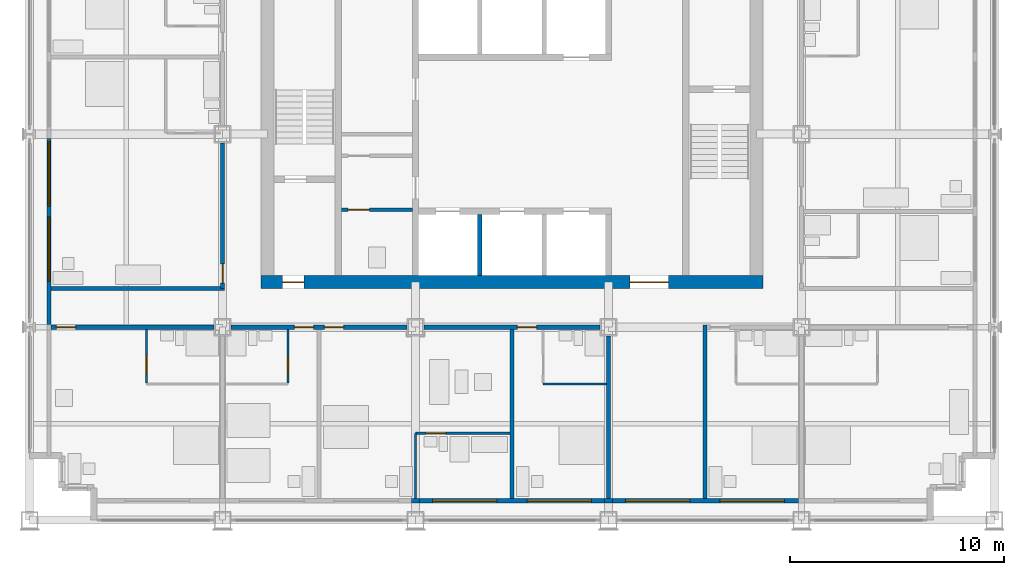
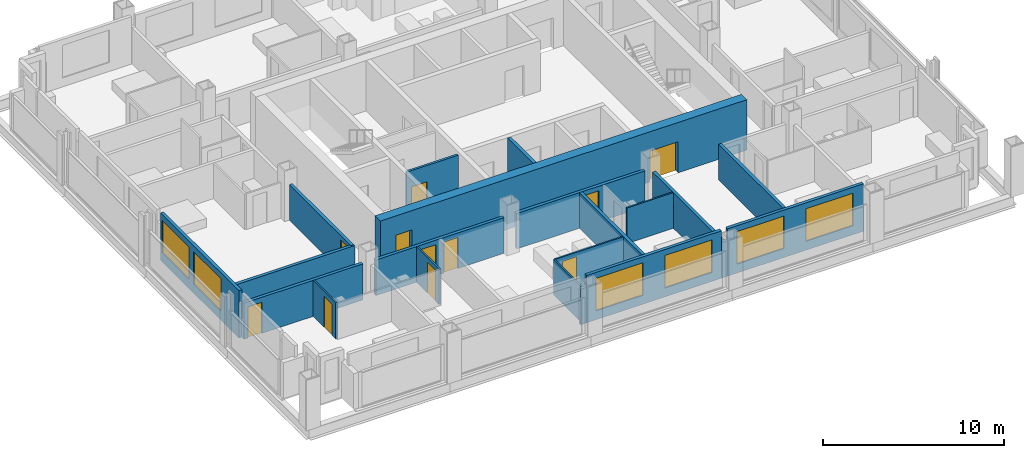
# One storey, part 9 of 16: 21 walls, 11 doors, 6 windows, 17 openings.
"""IFC4 building model written with IfcOpenShell, lengths in metres."""

from ifc_helpers import new_model, si_unit, direction, frame, frame_2d, origin, place, context, subcontext, project, spatial, rectangle, extrude, material, layer, layer_set, type_object, element, fill, save


model = new_model("IFC4")

# Units and contexts
model_context = context("Model", 3, precision=1e-05, world=origin(), true_north=direction((0.0, 1.0)))
body_context = subcontext(model_context, "Body", "Model", "MODEL_VIEW")
ifc_project = project(units=[si_unit("LENGTHUNIT", "METRE"), si_unit("AREAUNIT", "SQUARE_METRE"), si_unit("VOLUMEUNIT", "CUBIC_METRE"), si_unit("PLANEANGLEUNIT", "RADIAN"), si_unit("MASSUNIT", "GRAM", prefix="KILO")], contexts=[model_context])

# Site, building, storey
site_placement = place(None, origin())
site = spatial("IfcSite", under=ifc_project, at=site_placement, CompositionType="ELEMENT")
building_placement = place(site_placement, origin())
building = spatial("IfcBuilding", under=site, at=building_placement, Name="Loomwork Tower", CompositionType="ELEMENT")
storey_placement = place(building_placement, frame((0.0, 0.0, 124.800048828125)))
storey = spatial("IfcBuildingStorey", under=building, at=storey_placement, Name="L33", CompositionType="ELEMENT", Elevation=124.800048828125)

# Wall, openings, doors
ifc_material_1 = material(Name="Concrete 14000 psi (97 MPa)", Category="concrete")
ifc_layer_1 = layer(ifc_material_1, 0.60009765625)
ifc_layer_set_1 = layer_set([ifc_layer_1], Name="Core shear wall 600")
wall_type_1 = type_object("IfcWallType", Name="Core shear wall 600", PredefinedType="SHEAR", material=ifc_layer_set_1)
wall_1_placement = place(storey_placement, frame((10.800048828125, 11.10009765625, 0.0), z_axis=(0.0, 0.0, 1.0), x_axis=(1.0, 0.0, 0.0)))
wall_1 = element("IfcWall", 1, at=wall_1_placement, inside=storey, type_object=wall_type_1, Name="Core wall south L33", PredefinedType="SHEAR", context=body_context, shape_type="SweptSolid", body=[
    extrude(rectangle(XDim=23.39990234375, YDim=0.60009765625, at=frame_2d((11.699951171875, 0.0))), origin(), (0.0, 0.0, 1.0), 3.39990234375),
])
opening_1_placement = place(wall_1_placement, frame((1.0, 0.0, 0.0)))
opening_1 = element("IfcOpeningElement", 2, at=opening_1_placement, cuts=wall_1, Name="Opening D4", PredefinedType="OPENING", context=body_context, shape_type="SweptSolid", body=[
    extrude(rectangle(XDim=1.0, YDim=2.10009765625, at=frame_2d((0.5, 1.050048828125))), frame((0.0, 0.31005859375, 0.0), z_axis=(0.0, -1.0, 0.0), x_axis=(1.0, 0.0, 0.0)), (0.0, 0.0, 1.0), 0.6201171875),
])
opening_2_placement = place(wall_1_placement, frame((17.199951171875, 0.0, 0.0)))
opening_2 = element("IfcOpeningElement", 3, at=opening_2_placement, cuts=wall_1, Name="Opening D6", PredefinedType="OPENING", context=body_context, shape_type="SweptSolid", body=[
    extrude(rectangle(XDim=1.800048828125, YDim=2.10009765625, at=frame_2d((0.89990234375, 1.050048828125))), frame((0.0, 0.31005859375, 0.0), z_axis=(0.0, -1.0, 0.0), x_axis=(1.0, 0.0, 0.0)), (0.0, 0.0, 1.0), 0.6201171875),
])
ifc_material_2 = material(Name="Hollow metal door and frame")
door_type_1 = type_object("IfcDoorType", Name="Lobby passage double door 1800", OperationType="DOUBLE_DOOR_SINGLE_SWING", PredefinedType="DOOR", material=ifc_material_2)
door_1_placement = place(opening_2_placement, origin())
door_1 = element("IfcDoor", 4, at=door_1_placement, inside=storey, type_object=door_type_1, Name="Lobby passage door south", OperationType="DOUBLE_DOOR_SINGLE_SWING", OverallHeight=2.10009765625, OverallWidth=1.800048828125, PredefinedType="DOOR", context=body_context, shape_type="SweptSolid", body=[
    extrude(rectangle(XDim=1.800048828125, YDim=2.10009765625, at=frame_2d((0.89990234375, 1.050048828125))), frame((0.0, 0.02490234375, 0.0), z_axis=(0.0, -1.0, 0.0), x_axis=(1.0, 0.0, 0.0)), (0.0, 0.0, 1.0), 0.050048828125),
])
fill(opening_2, door_1)
ifc_material_3 = material(Name="Hollow metal door and frame")
door_type_2 = type_object("IfcDoorType", Name="Stair door 1000", OperationType="SINGLE_SWING_RIGHT", PredefinedType="DOOR", material=ifc_material_3)
door_2_placement = place(opening_1_placement, origin())
door_2 = element("IfcDoor", 5, at=door_2_placement, inside=storey, type_object=door_type_2, Name="Stair A vestibule door", OperationType="SINGLE_SWING_LEFT", OverallHeight=2.10009765625, OverallWidth=1.0, PredefinedType="DOOR", context=body_context, shape_type="SweptSolid", body=[
    extrude(rectangle(XDim=1.0, YDim=2.10009765625, at=frame_2d((0.5, 1.050048828125))), frame((0.0, 0.02490234375, 0.0), z_axis=(0.0, -1.0, 0.0), x_axis=(1.0, 0.0, 0.0)), (0.0, 0.0, 1.0), 0.050048828125),
])
fill(opening_1, door_2)

# Wall, opening, door
ifc_material_4 = material(Name="Gypsum board on steel studs, one-hour", Category="steel")
ifc_layer_2 = layer(ifc_material_4, 0.199951171875)
ifc_layer_set_2 = layer_set([ifc_layer_2], Name="Corridor wall 200")
wall_type_2 = type_object("IfcWallType", Name="Corridor wall 200", PredefinedType="PARTITIONING", material=ifc_layer_set_2)
wall_2_placement = place(storey_placement, frame((1.0, 9.0, 0.0), z_axis=(0.0, 0.0, 1.0), x_axis=(1.0, 0.0, 0.0)))
wall_2 = element("IfcWall", 6, at=wall_2_placement, inside=storey, type_object=wall_type_2, Name="South corridor wall 1", PredefinedType="PARTITIONING", context=body_context, shape_type="SweptSolid", body=[
    extrude(rectangle(XDim=7.60009765625, YDim=0.199951171875, at=frame_2d((3.800048828125, 0.0))), origin(), (0.0, 0.0, 1.0), 2.43798828125),
])
opening_3_placement = place(wall_2_placement, frame((0.25, 0.0, 0.0)))
opening_3 = element("IfcOpeningElement", 7, at=opening_3_placement, cuts=wall_2, Name="Opening D1", PredefinedType="OPENING", context=body_context, shape_type="SweptSolid", body=[
    extrude(rectangle(XDim=0.89990234375, YDim=2.10009765625, at=frame_2d((0.449951171875, 1.050048828125))), frame((0.0, 0.10986328125, 0.0), z_axis=(0.0, -1.0, 0.0), x_axis=(1.0, 0.0, 0.0)), (0.0, 0.0, 1.0), 0.219970703125),
])
ifc_material_5 = material(Name="Hollow metal door and frame")
door_type_3 = type_object("IfcDoorType", Name="Guest room entry door 900", OperationType="SINGLE_SWING_LEFT", PredefinedType="DOOR", material=ifc_material_5)
door_3_placement = place(opening_3_placement, frame((0.89990234375, 0.0, 0.0), z_axis=(0.0, 0.0, 1.0), x_axis=(-1.0, 0.0, 0.0)))
door_3 = element("IfcDoor", 8, at=door_3_placement, inside=storey, type_object=door_type_3, Name="Guest room entry door L33 1", OperationType="SINGLE_SWING_RIGHT", OverallHeight=2.10009765625, OverallWidth=0.89990234375, PredefinedType="DOOR", context=body_context, shape_type="SweptSolid", body=[
    extrude(rectangle(XDim=0.89990234375, YDim=2.10009765625, at=frame_2d((0.449951171875, 1.050048828125))), frame((0.0, 0.02490234375, 0.0), z_axis=(0.0, -1.0, 0.0), x_axis=(1.0, 0.0, 0.0)), (0.0, 0.0, 1.0), 0.050048828125),
])
fill(opening_3, door_3)

# Wall, openings, doors
wall_3_placement = place(storey_placement, frame((9.39990234375, 9.0, 0.0), z_axis=(0.0, 0.0, 1.0), x_axis=(1.0, 0.0, 0.0)))
wall_3 = element("IfcWall", 9, at=wall_3_placement, inside=storey, type_object=wall_type_2, Name="South corridor wall 2", PredefinedType="PARTITIONING", context=body_context, shape_type="SweptSolid", body=[
    extrude(rectangle(XDim=8.2001953125, YDim=0.199951171875, at=frame_2d((4.10009765625, 0.0))), origin(), (0.0, 0.0, 1.0), 2.405029296875),
])
opening_4_placement = place(wall_3_placement, frame((2.949951171875, 0.0, 0.0)))
opening_4 = element("IfcOpeningElement", 10, at=opening_4_placement, cuts=wall_3, Name="Opening D1", PredefinedType="OPENING", context=body_context, shape_type="SweptSolid", body=[
    extrude(rectangle(XDim=0.89990234375, YDim=2.10009765625, at=frame_2d((0.449951171875, 1.050048828125))), frame((0.0, 0.10986328125, 0.0), z_axis=(0.0, -1.0, 0.0), x_axis=(1.0, 0.0, 0.0)), (0.0, 0.0, 1.0), 0.219970703125),
])
opening_5_placement = place(wall_3_placement, frame((4.35009765625, 0.0, 0.0)))
opening_5 = element("IfcOpeningElement", 11, at=opening_5_placement, cuts=wall_3, Name="Opening D1", PredefinedType="OPENING", context=body_context, shape_type="SweptSolid", body=[
    extrude(rectangle(XDim=0.89990234375, YDim=2.10009765625, at=frame_2d((0.449951171875, 1.050048828125))), frame((0.0, 0.10986328125, 0.0), z_axis=(0.0, -1.0, 0.0), x_axis=(1.0, 0.0, 0.0)), (0.0, 0.0, 1.0), 0.219970703125),
])
door_4_placement = place(opening_4_placement, frame((0.89990234375, 0.0, 0.0), z_axis=(0.0, 0.0, 1.0), x_axis=(-1.0, 0.0, 0.0)))
door_4 = element("IfcDoor", 12, at=door_4_placement, inside=storey, type_object=door_type_3, Name="Guest room entry door L33 2", OperationType="SINGLE_SWING_LEFT", OverallHeight=2.10009765625, OverallWidth=0.89990234375, PredefinedType="DOOR", context=body_context, shape_type="SweptSolid", body=[
    extrude(rectangle(XDim=0.89990234375, YDim=2.10009765625, at=frame_2d((0.449951171875, 1.050048828125))), frame((0.0, 0.02490234375, 0.0), z_axis=(0.0, -1.0, 0.0), x_axis=(1.0, 0.0, 0.0)), (0.0, 0.0, 1.0), 0.050048828125),
])
fill(opening_4, door_4)
door_5_placement = place(opening_5_placement, frame((0.89990234375, 0.0, 0.0), z_axis=(0.0, 0.0, 1.0), x_axis=(-1.0, 0.0, 0.0)))
door_5 = element("IfcDoor", 13, at=door_5_placement, inside=storey, type_object=door_type_3, Name="Guest room entry door L33 3", OperationType="SINGLE_SWING_RIGHT", OverallHeight=2.10009765625, OverallWidth=0.89990234375, PredefinedType="DOOR", context=body_context, shape_type="SweptSolid", body=[
    extrude(rectangle(XDim=0.89990234375, YDim=2.10009765625, at=frame_2d((0.449951171875, 1.050048828125))), frame((0.0, 0.02490234375, 0.0), z_axis=(0.0, -1.0, 0.0), x_axis=(1.0, 0.0, 0.0)), (0.0, 0.0, 1.0), 0.050048828125),
])
fill(opening_5, door_5)

# Wall, opening, door
wall_4_placement = place(storey_placement, frame((18.39990234375, 9.0, 0.0), z_axis=(0.0, 0.0, 1.0), x_axis=(1.0, 0.0, 0.0)))
wall_4 = element("IfcWall", 14, at=wall_4_placement, inside=storey, type_object=wall_type_2, Name="South corridor wall 3", PredefinedType="PARTITIONING", context=body_context, shape_type="SweptSolid", body=[
    extrude(rectangle(XDim=8.2001953125, YDim=0.199951171875, at=frame_2d((4.10009765625, 0.0))), origin(), (0.0, 0.0, 1.0), 2.405029296875),
])
opening_6_placement = place(wall_4_placement, frame((4.35009765625, 0.0, 0.0)))
opening_6 = element("IfcOpeningElement", 15, at=opening_6_placement, cuts=wall_4, Name="Opening D1", PredefinedType="OPENING", context=body_context, shape_type="SweptSolid", body=[
    extrude(rectangle(XDim=0.89990234375, YDim=2.10009765625, at=frame_2d((0.449951171875, 1.050048828125))), frame((0.0, 0.10986328125, 0.0), z_axis=(0.0, -1.0, 0.0), x_axis=(1.0, 0.0, 0.0)), (0.0, 0.0, 1.0), 0.219970703125),
])
door_6_placement = place(opening_6_placement, frame((0.89990234375, 0.0, 0.0), z_axis=(0.0, 0.0, 1.0), x_axis=(-1.0, 0.0, 0.0)))
door_6 = element("IfcDoor", 16, at=door_6_placement, inside=storey, type_object=door_type_3, Name="Guest room entry door L33 4", OperationType="SINGLE_SWING_RIGHT", OverallHeight=2.10009765625, OverallWidth=0.89990234375, PredefinedType="DOOR", context=body_context, shape_type="SweptSolid", body=[
    extrude(rectangle(XDim=0.89990234375, YDim=2.10009765625, at=frame_2d((0.449951171875, 1.050048828125))), frame((0.0, 0.02490234375, 0.0), z_axis=(0.0, -1.0, 0.0), x_axis=(1.0, 0.0, 0.0)), (0.0, 0.0, 1.0), 0.050048828125),
])
fill(opening_6, door_6)

wall_5_placement = place(storey_placement, frame((9.0, 10.800048828125, 0.0), z_axis=(0.0, 0.0, 1.0), x_axis=(0.0, 1.0, 0.0)))
wall_5 = element("IfcWall", 17, at=wall_5_placement, inside=storey, type_object=wall_type_2, Name="West corridor wall 1", PredefinedType="PARTITIONING", context=body_context, shape_type="SweptSolid", body=[
    extrude(rectangle(XDim=6.800048828125, YDim=0.199951171875, at=frame_2d((3.39990234375, 0.0))), origin(), (0.0, 0.0, 1.0), 2.405029296875),
])
opening_7_placement = place(wall_5_placement, frame((0.25, 0.0, 0.0)))
opening_7 = element("IfcOpeningElement", 18, at=opening_7_placement, cuts=wall_5, Name="Opening D1", PredefinedType="OPENING", context=body_context, shape_type="SweptSolid", body=[
    extrude(rectangle(XDim=0.89990234375, YDim=2.10009765625, at=frame_2d((0.449951171875, 1.050048828125))), frame((0.0, 0.10986328125, 0.0), z_axis=(0.0, -1.0, 0.0), x_axis=(1.0, 0.0, 0.0)), (0.0, 0.0, 1.0), 0.219970703125),
])
door_7_placement = place(opening_7_placement, origin())
door_7 = element("IfcDoor", 19, at=door_7_placement, inside=storey, type_object=door_type_3, Name="Guest room entry door L33 12", OperationType="SINGLE_SWING_LEFT", OverallHeight=2.10009765625, OverallWidth=0.89990234375, PredefinedType="DOOR", context=body_context, shape_type="SweptSolid", body=[
    extrude(rectangle(XDim=0.89990234375, YDim=2.10009765625, at=frame_2d((0.449951171875, 1.050048828125))), frame((0.0, 0.02490234375, 0.0), z_axis=(0.0, -1.0, 0.0), x_axis=(1.0, 0.0, 0.0)), (0.0, 0.0, 1.0), 0.050048828125),
])
fill(opening_7, door_7)

# Wall
wall_6_placement = place(storey_placement, frame((1.0, 10.800048828125, 0.0), z_axis=(0.0, 0.0, 1.0), x_axis=(1.0, 0.0, 0.0)))
element("IfcWall", 20, at=wall_6_placement, inside=storey, type_object=wall_type_2, Name="West band end wall S", PredefinedType="PARTITIONING", context=body_context, shape_type="SweptSolid", body=[
    extrude(rectangle(XDim=8.10009765625, YDim=0.199951171875, at=frame_2d((4.050048828125, 0.0))), origin(), (0.0, 0.0, 1.0), 2.404052734375),
])

# Wall, opening, door
ifc_material_6 = material(Name="Cement board on steel studs", Category="steel")
ifc_layer_3 = layer(ifc_material_6, 0.10009765625)
ifc_layer_set_3 = layer_set([ifc_layer_3], Name="En-suite partition 100")
wall_type_3 = type_object("IfcWallType", Name="En-suite partition 100", PredefinedType="PARTITIONING", material=ifc_layer_set_3)
wall_7_placement = place(storey_placement, frame((5.449951171875, 8.89990234375, 0.0), z_axis=(0.0, 0.0, 1.0), x_axis=(0.0, -1.0, 0.0)))
wall_7 = element("IfcWall", 21, at=wall_7_placement, inside=storey, type_object=wall_type_3, Name="En-suite side wall L33 room 1", PredefinedType="PARTITIONING", context=body_context, shape_type="SweptSolid", body=[
    extrude(rectangle(XDim=2.5, YDim=0.10009765625, at=frame_2d((1.25, 0.0))), origin(), (0.0, 0.0, 1.0), 2.43798828125),
])
opening_8_placement = place(wall_7_placement, frame((1.199951171875, 0.0, 0.0)))
opening_8 = element("IfcOpeningElement", 22, at=opening_8_placement, cuts=wall_7, Name="Opening D3", PredefinedType="OPENING", context=body_context, shape_type="SweptSolid", body=[
    extrude(rectangle(XDim=0.89990234375, YDim=2.10009765625, at=frame_2d((0.449951171875, 1.050048828125))), frame((0.0, 0.06005859375, 0.0), z_axis=(0.0, -1.0, 0.0), x_axis=(1.0, 0.0, 0.0)), (0.0, 0.0, 1.0), 0.1201171875),
])
ifc_material_7 = material(Name="Hollow metal door and frame")
door_type_4 = type_object("IfcDoorType", Name="Accessible en-suite door 900", OperationType="SLIDING_TO_LEFT", PredefinedType="DOOR", material=ifc_material_7)
door_8_placement = place(opening_8_placement, origin())
door_8 = element("IfcDoor", 23, at=door_8_placement, inside=storey, type_object=door_type_4, Name="Accessible en-suite door room 1", OperationType="SLIDING_TO_LEFT", OverallHeight=2.10009765625, OverallWidth=0.89990234375, PredefinedType="DOOR", context=body_context, shape_type="SweptSolid", body=[
    extrude(rectangle(XDim=0.89990234375, YDim=2.10009765625, at=frame_2d((0.449951171875, 1.050048828125))), frame((0.0, 0.02490234375, 0.0), z_axis=(0.0, -1.0, 0.0), x_axis=(1.0, 0.0, 0.0)), (0.0, 0.0, 1.0), 0.050048828125),
])
fill(opening_8, door_8)

wall_8_placement = place(storey_placement, frame((12.050048828125, 8.89990234375, 0.0), z_axis=(0.0, 0.0, 1.0), x_axis=(0.0, -1.0, 0.0)))
wall_8 = element("IfcWall", 24, at=wall_8_placement, inside=storey, type_object=wall_type_3, Name="En-suite side wall L33 room 2", PredefinedType="PARTITIONING", context=body_context, shape_type="SweptSolid", body=[
    extrude(rectangle(XDim=2.5, YDim=0.10009765625, at=frame_2d((1.25, 0.0))), origin(), (0.0, 0.0, 1.0), 2.404052734375),
])
opening_9_placement = place(wall_8_placement, frame((1.199951171875, 0.0, 0.0)))
opening_9 = element("IfcOpeningElement", 25, at=opening_9_placement, cuts=wall_8, Name="Opening D2", PredefinedType="OPENING", context=body_context, shape_type="SweptSolid", body=[
    extrude(rectangle(XDim=0.89990234375, YDim=2.10009765625, at=frame_2d((0.449951171875, 1.050048828125))), frame((0.0, 0.06005859375, 0.0), z_axis=(0.0, -1.0, 0.0), x_axis=(1.0, 0.0, 0.0)), (0.0, 0.0, 1.0), 0.1201171875),
])
ifc_material_8 = material(Name="Hollow metal door and frame")
door_type_5 = type_object("IfcDoorType", Name="En-suite door 900", OperationType="SINGLE_SWING_LEFT", PredefinedType="DOOR", material=ifc_material_8)
door_9_placement = place(opening_9_placement, frame((0.89990234375, 0.0, 0.0), z_axis=(0.0, 0.0, 1.0), x_axis=(-1.0, 0.0, 0.0)))
door_9 = element("IfcDoor", 26, at=door_9_placement, inside=storey, type_object=door_type_5, Name="En-suite door room 2", OperationType="SINGLE_SWING_LEFT", OverallHeight=2.10009765625, OverallWidth=0.89990234375, PredefinedType="DOOR", context=body_context, shape_type="SweptSolid", body=[
    extrude(rectangle(XDim=0.89990234375, YDim=2.10009765625, at=frame_2d((0.449951171875, 1.050048828125))), frame((0.0, 0.02490234375, 0.0), z_axis=(0.0, -1.0, 0.0), x_axis=(1.0, 0.0, 0.0)), (0.0, 0.0, 1.0), 0.050048828125),
])
fill(opening_9, door_9)

wall_9_placement = place(storey_placement, frame((18.0, 4.050048828125, 0.0), z_axis=(0.0, 0.0, 1.0), x_axis=(1.0, 0.0, 0.0)))
wall_9 = element("IfcWall", 27, at=wall_9_placement, inside=storey, type_object=wall_type_3, Name="Spa bathroom wall L33 room 3", PredefinedType="PARTITIONING", context=body_context, shape_type="SweptSolid", body=[
    extrude(rectangle(XDim=4.39990234375, YDim=0.10009765625, at=frame_2d((2.199951171875, 0.0))), origin(), (0.0, 0.0, 1.0), 2.404052734375),
])
opening_10_placement = place(wall_9_placement, frame((0.5, 0.0, 0.0)))
opening_10 = element("IfcOpeningElement", 28, at=opening_10_placement, cuts=wall_9, Name="Opening D2", PredefinedType="OPENING", context=body_context, shape_type="SweptSolid", body=[
    extrude(rectangle(XDim=0.89990234375, YDim=2.10009765625, at=frame_2d((0.449951171875, 1.050048828125))), frame((0.0, 0.06005859375, 0.0), z_axis=(0.0, -1.0, 0.0), x_axis=(1.0, 0.0, 0.0)), (0.0, 0.0, 1.0), 0.1201171875),
])
door_10_placement = place(opening_10_placement, frame((0.89990234375, 0.0, 0.0), z_axis=(0.0, 0.0, 1.0), x_axis=(-1.0, 0.0, 0.0)))
door_10 = element("IfcDoor", 29, at=door_10_placement, inside=storey, type_object=door_type_5, Name="Spa bathroom door room 3", OperationType="SINGLE_SWING_RIGHT", OverallHeight=2.10009765625, OverallWidth=0.89990234375, PredefinedType="DOOR", context=body_context, shape_type="SweptSolid", body=[
    extrude(rectangle(XDim=0.89990234375, YDim=2.10009765625, at=frame_2d((0.449951171875, 1.050048828125))), frame((0.0, 0.02490234375, 0.0), z_axis=(0.0, -1.0, 0.0), x_axis=(1.0, 0.0, 0.0)), (0.0, 0.0, 1.0), 0.050048828125),
])
fill(opening_10, door_10)

# Walls
wall_10_placement = place(storey_placement, frame((18.0, 4.050048828125, 0.0), z_axis=(0.0, 0.0, 1.0), x_axis=(0.0, -1.0, 0.0)))
element("IfcWall", 30, at=wall_10_placement, inside=storey, type_object=wall_type_3, Name="Spa bathroom side wall L33 room 3", PredefinedType="PARTITIONING", context=body_context, shape_type="SweptSolid", body=[
    extrude(rectangle(XDim=3.050048828125, YDim=0.10009765625, at=frame_2d((1.52490234375, 0.0))), origin(), (0.0, 0.0, 1.0), 2.405029296875),
])
wall_11_placement = place(storey_placement, frame((23.949951171875, 6.35009765625, 0.0), z_axis=(0.0, 0.0, 1.0), x_axis=(1.0, 0.0, 0.0)))
element("IfcWall", 31, at=wall_11_placement, inside=storey, type_object=wall_type_3, Name="En-suite wall L33 room 4", PredefinedType="PARTITIONING", context=body_context, shape_type="SweptSolid", body=[
    extrude(rectangle(XDim=2.949951171875, YDim=0.10009765625, at=frame_2d((1.47509765625, 0.0))), origin(), (0.0, 0.0, 1.0), 2.404052734375),
])
ifc_material_9 = material(Name="Gypsum board on steel studs, acoustic", Category="steel")
ifc_layer_4 = layer(ifc_material_9, 0.199951171875)
ifc_layer_set_4 = layer_set([ifc_layer_4], Name="Guest room party wall 200")
wall_type_4 = type_object("IfcWallType", Name="Guest room party wall 200", PredefinedType="PARTITIONING", material=ifc_layer_set_4)
wall_12_placement = place(storey_placement, frame((22.5, 8.89990234375, 0.0), z_axis=(0.0, 0.0, 1.0), x_axis=(0.0, -1.0, 0.0)))
element("IfcWall", 32, at=wall_12_placement, inside=storey, type_object=wall_type_4, Name="Guest room party wall S 22.5", PredefinedType="PARTITIONING", context=body_context, shape_type="SweptSolid", body=[
    extrude(rectangle(XDim=7.89990234375, YDim=0.199951171875, at=frame_2d((3.949951171875, 0.0))), origin(), (0.0, 0.0, 1.0), 2.404052734375),
])
wall_13_placement = place(storey_placement, frame((27.0, 8.60009765625, 0.0), z_axis=(0.0, 0.0, 1.0), x_axis=(0.0, -1.0, 0.0)))
element("IfcWall", 33, at=wall_13_placement, inside=storey, type_object=wall_type_4, Name="Guest room party wall S 27", PredefinedType="PARTITIONING", context=body_context, shape_type="SweptSolid", body=[
    extrude(rectangle(XDim=7.60009765625, YDim=0.199951171875, at=frame_2d((3.800048828125, 0.0))), origin(), (0.0, 0.0, 1.0), 2.405029296875),
])
wall_14_placement = place(storey_placement, frame((31.5, 9.10009765625, 0.0), z_axis=(0.0, 0.0, 1.0), x_axis=(0.0, -1.0, 0.0)))
element("IfcWall", 34, at=wall_14_placement, inside=storey, type_object=wall_type_4, Name="Guest room party wall S 31.5", PredefinedType="PARTITIONING", context=body_context, shape_type="SweptSolid", body=[
    extrude(rectangle(XDim=8.10009765625, YDim=0.199951171875, at=frame_2d((4.050048828125, 0.0))), origin(), (0.0, 0.0, 1.0), 2.404052734375),
])
ifc_material_10 = material(Name="Insulated steel stud wall with gypsum lining", Category="steel")
ifc_layer_5 = layer(ifc_material_10, 0.199951171875)
ifc_layer_set_5 = layer_set([ifc_layer_5], Name="Inner skin wall 200")
wall_type_5 = type_object("IfcWallType", Name="Inner skin wall 200", PredefinedType="SOLIDWALL", material=ifc_layer_set_5)
wall_15_placement = place(storey_placement, frame((17.80615234375, 0.89990234375, 0.0), z_axis=(0.0, 0.0, 1.0), x_axis=(1.0, 0.0, 0.0)))
element("IfcWall", 35, at=wall_15_placement, inside=storey, type_object=wall_type_5, Name="Inner skin wall S bay 4", PredefinedType="SOLIDWALL", context=body_context, shape_type="SweptSolid", body=[
    extrude(rectangle(XDim=0.3876953125, YDim=0.199951171875, at=frame_2d((0.19384765625, 0.0))), origin(), (0.0, 0.0, 1.0), 2.404052734375),
])

# Wall, openings, windows
wall_16_placement = place(storey_placement, frame((18.19384765625, 0.89990234375, 0.0), z_axis=(0.0, 0.0, 1.0), x_axis=(1.0, 0.0, 0.0)))
wall_16 = element("IfcWall", 36, at=wall_16_placement, inside=storey, type_object=wall_type_5, Name="Inner skin wall S bay 5", PredefinedType="SOLIDWALL", context=body_context, shape_type="SweptSolid", body=[
    extrude(rectangle(XDim=8.6123046875, YDim=0.199951171875, at=frame_2d((4.30615234375, 0.0))), origin(), (0.0, 0.0, 1.0), 3.199951171875),
])
opening_11_placement = place(wall_16_placement, frame((0.606201171875, 0.0, 0.60009765625)))
opening_11 = element("IfcOpeningElement", 37, at=opening_11_placement, cuts=wall_16, Name="Opening CH1", PredefinedType="OPENING", context=body_context, shape_type="SweptSolid", body=[
    extrude(rectangle(XDim=3.0, YDim=2.199951171875, at=frame_2d((1.5, 1.10009765625))), frame((0.0, 0.10986328125, 0.0), z_axis=(0.0, -1.0, 0.0), x_axis=(1.0, 0.0, 0.0)), (0.0, 0.0, 1.0), 0.219970703125),
])
opening_12_placement = place(wall_16_placement, frame((5.006103515625, 0.0, 0.60009765625)))
opening_12 = element("IfcOpeningElement", 38, at=opening_12_placement, cuts=wall_16, Name="Opening CH1", PredefinedType="OPENING", context=body_context, shape_type="SweptSolid", body=[
    extrude(rectangle(XDim=3.0, YDim=2.199951171875, at=frame_2d((1.5, 1.10009765625))), frame((0.0, 0.10986328125, 0.0), z_axis=(0.0, -1.0, 0.0), x_axis=(1.0, 0.0, 0.0)), (0.0, 0.0, 1.0), 0.219970703125),
])
ifc_material_11 = material(Name="Aluminium frame with clear insulated glass", Category="aluminium")
window_type = type_object("IfcWindowType", Name="Chicago window 3000", PartitioningType="TRIPLE_PANEL_VERTICAL", PredefinedType="WINDOW", material=ifc_material_11)
window_1_placement = place(opening_11_placement, origin())
window_1 = element("IfcWindow", 39, at=window_1_placement, inside=storey, type_object=window_type, Name="Chicago window L33 bay 3", OverallHeight=2.199951171875, OverallWidth=3.0, PartitioningType="TRIPLE_PANEL_VERTICAL", PredefinedType="WINDOW", context=body_context, shape_type="SweptSolid", body=[
    extrude(rectangle(XDim=3.0, YDim=2.199951171875, at=frame_2d((1.5, 1.10009765625))), frame((0.0, 0.030029296875, 0.0), z_axis=(0.0, -1.0, 0.0), x_axis=(1.0, 0.0, 0.0)), (0.0, 0.0, 1.0), 0.06005859375),
])
fill(opening_11, window_1)
window_2_placement = place(opening_12_placement, origin())
window_2 = element("IfcWindow", 40, at=window_2_placement, inside=storey, type_object=window_type, Name="Chicago window L33 bay 3", OverallHeight=2.199951171875, OverallWidth=3.0, PartitioningType="TRIPLE_PANEL_VERTICAL", PredefinedType="WINDOW", context=body_context, shape_type="SweptSolid", body=[
    extrude(rectangle(XDim=3.0, YDim=2.199951171875, at=frame_2d((1.5, 1.10009765625))), frame((0.0, 0.030029296875, 0.0), z_axis=(0.0, -1.0, 0.0), x_axis=(1.0, 0.0, 0.0)), (0.0, 0.0, 1.0), 0.06005859375),
])
fill(opening_12, window_2)

# Wall
wall_17_placement = place(storey_placement, frame((26.80615234375, 0.89990234375, 0.0), z_axis=(0.0, 0.0, 1.0), x_axis=(1.0, 0.0, 0.0)))
element("IfcWall", 41, at=wall_17_placement, inside=storey, type_object=wall_type_5, Name="Inner skin wall S bay 6", PredefinedType="SOLIDWALL", context=body_context, shape_type="SweptSolid", body=[
    extrude(rectangle(XDim=0.3876953125, YDim=0.199951171875, at=frame_2d((0.19384765625, 0.0))), origin(), (0.0, 0.0, 1.0), 2.404052734375),
])

# Wall, openings, windows
wall_18_placement = place(storey_placement, frame((27.19384765625, 0.89990234375, 0.0), z_axis=(0.0, 0.0, 1.0), x_axis=(1.0, 0.0, 0.0)))
wall_18 = element("IfcWall", 42, at=wall_18_placement, inside=storey, type_object=wall_type_5, Name="Inner skin wall S bay 7", PredefinedType="SOLIDWALL", context=body_context, shape_type="SweptSolid", body=[
    extrude(rectangle(XDim=8.670654296875, YDim=0.199951171875, at=frame_2d((4.33544921875, 0.0))), origin(), (0.0, 0.0, 1.0), 3.199951171875),
])
opening_13_placement = place(wall_18_placement, frame((0.606201171875, 0.0, 0.60009765625)))
opening_13 = element("IfcOpeningElement", 43, at=opening_13_placement, cuts=wall_18, Name="Opening CH1", PredefinedType="OPENING", context=body_context, shape_type="SweptSolid", body=[
    extrude(rectangle(XDim=3.0, YDim=2.199951171875, at=frame_2d((1.5, 1.10009765625))), frame((0.0, 0.10986328125, 0.0), z_axis=(0.0, -1.0, 0.0), x_axis=(1.0, 0.0, 0.0)), (0.0, 0.0, 1.0), 0.219970703125),
])
opening_14_placement = place(wall_18_placement, frame((5.006103515625, 0.0, 0.60009765625)))
opening_14 = element("IfcOpeningElement", 44, at=opening_14_placement, cuts=wall_18, Name="Opening CH1", PredefinedType="OPENING", context=body_context, shape_type="SweptSolid", body=[
    extrude(rectangle(XDim=3.0, YDim=2.199951171875, at=frame_2d((1.5, 1.10009765625))), frame((0.0, 0.10986328125, 0.0), z_axis=(0.0, -1.0, 0.0), x_axis=(1.0, 0.0, 0.0)), (0.0, 0.0, 1.0), 0.219970703125),
])
window_3_placement = place(opening_13_placement, origin())
window_3 = element("IfcWindow", 45, at=window_3_placement, inside=storey, type_object=window_type, Name="Chicago window L33 bay 4", OverallHeight=2.199951171875, OverallWidth=3.0, PartitioningType="TRIPLE_PANEL_VERTICAL", PredefinedType="WINDOW", context=body_context, shape_type="SweptSolid", body=[
    extrude(rectangle(XDim=3.0, YDim=2.199951171875, at=frame_2d((1.5, 1.10009765625))), frame((0.0, 0.030029296875, 0.0), z_axis=(0.0, -1.0, 0.0), x_axis=(1.0, 0.0, 0.0)), (0.0, 0.0, 1.0), 0.06005859375),
])
fill(opening_13, window_3)
window_4_placement = place(opening_14_placement, origin())
window_4 = element("IfcWindow", 46, at=window_4_placement, inside=storey, type_object=window_type, Name="Chicago window L33 bay 4", OverallHeight=2.199951171875, OverallWidth=3.0, PartitioningType="TRIPLE_PANEL_VERTICAL", PredefinedType="WINDOW", context=body_context, shape_type="SweptSolid", body=[
    extrude(rectangle(XDim=3.0, YDim=2.199951171875, at=frame_2d((1.5, 1.10009765625))), frame((0.0, 0.030029296875, 0.0), z_axis=(0.0, -1.0, 0.0), x_axis=(1.0, 0.0, 0.0)), (0.0, 0.0, 1.0), 0.06005859375),
])
fill(opening_14, window_4)

wall_19_placement = place(storey_placement, frame((0.89990234375, 9.13525390625, 0.0), z_axis=(0.0, 0.0, 1.0), x_axis=(0.0, 1.0, 0.0)))
wall_19 = element("IfcWall", 47, at=wall_19_placement, inside=storey, type_object=wall_type_5, Name="Inner skin wall W bay 5", PredefinedType="SOLIDWALL", context=body_context, shape_type="SweptSolid", body=[
    extrude(rectangle(XDim=8.6708984375, YDim=0.199951171875, at=frame_2d((4.33544921875, 0.0))), origin(), (0.0, 0.0, 1.0), 3.199951171875),
])
opening_15_placement = place(wall_19_placement, frame((2.0146484375, 0.0, 0.60009765625)))
opening_15 = element("IfcOpeningElement", 48, at=opening_15_placement, cuts=wall_19, Name="Opening CH1", PredefinedType="OPENING", context=body_context, shape_type="SweptSolid", body=[
    extrude(rectangle(XDim=3.0, YDim=2.199951171875, at=frame_2d((1.5, 1.10009765625))), frame((0.0, 0.10986328125, 0.0), z_axis=(0.0, -1.0, 0.0), x_axis=(1.0, 0.0, 0.0)), (0.0, 0.0, 1.0), 0.219970703125),
])
opening_16_placement = place(wall_19_placement, frame((5.5146484375, 0.0, 0.60009765625)))
opening_16 = element("IfcOpeningElement", 49, at=opening_16_placement, cuts=wall_19, Name="Opening CH1", PredefinedType="OPENING", context=body_context, shape_type="SweptSolid", body=[
    extrude(rectangle(XDim=3.0, YDim=2.199951171875, at=frame_2d((1.5, 1.10009765625))), frame((0.0, 0.10986328125, 0.0), z_axis=(0.0, -1.0, 0.0), x_axis=(1.0, 0.0, 0.0)), (0.0, 0.0, 1.0), 0.219970703125),
])
window_5_placement = place(opening_15_placement, origin())
window_5 = element("IfcWindow", 50, at=window_5_placement, inside=storey, type_object=window_type, Name="Chicago window L33 bay 11", OverallHeight=2.199951171875, OverallWidth=3.0, PartitioningType="TRIPLE_PANEL_VERTICAL", PredefinedType="WINDOW", context=body_context, shape_type="SweptSolid", body=[
    extrude(rectangle(XDim=3.0, YDim=2.199951171875, at=frame_2d((1.5, 1.10009765625))), frame((0.0, 0.030029296875, 0.0), z_axis=(0.0, -1.0, 0.0), x_axis=(1.0, 0.0, 0.0)), (0.0, 0.0, 1.0), 0.06005859375),
])
fill(opening_15, window_5)
window_6_placement = place(opening_16_placement, origin())
window_6 = element("IfcWindow", 51, at=window_6_placement, inside=storey, type_object=window_type, Name="Chicago window L33 bay 11", OverallHeight=2.199951171875, OverallWidth=3.0, PartitioningType="TRIPLE_PANEL_VERTICAL", PredefinedType="WINDOW", context=body_context, shape_type="SweptSolid", body=[
    extrude(rectangle(XDim=3.0, YDim=2.199951171875, at=frame_2d((1.5, 1.10009765625))), frame((0.0, 0.030029296875, 0.0), z_axis=(0.0, -1.0, 0.0), x_axis=(1.0, 0.0, 0.0)), (0.0, 0.0, 1.0), 0.06005859375),
])
fill(opening_16, window_6)

# Wall
ifc_material_12 = material(Name="Concrete 14000 psi (97 MPa)", Category="concrete")
ifc_layer_6 = layer(ifc_material_12, 0.199951171875)
ifc_layer_set_6 = layer_set([ifc_layer_6], Name="Lift shaft wall 200")
wall_type_6 = type_object("IfcWallType", Name="Lift shaft wall 200", PredefinedType="SHEAR", material=ifc_layer_set_6)
wall_20_placement = place(storey_placement, frame((21.0, 11.39990234375, 0.0), z_axis=(0.0, 0.0, 1.0), x_axis=(0.0, 1.0, 0.0)))
element("IfcWall", 52, at=wall_20_placement, inside=storey, type_object=wall_type_6, Name="Lift shaft separation wall south 1 L33", PredefinedType="SHEAR", context=body_context, shape_type="SweptSolid", body=[
    extrude(rectangle(XDim=2.85009765625, YDim=0.199951171875, at=frame_2d((1.425048828125, 0.0))), origin(), (0.0, 0.0, 1.0), 3.39990234375),
])

# Wall, opening, door
ifc_material_13 = material(Name="Gypsum board on steel studs, one-hour", Category="steel")
ifc_layer_7 = layer(ifc_material_13, 0.14990234375)
ifc_layer_set_7 = layer_set([ifc_layer_7], Name="Service partition 150")
wall_type_7 = type_object("IfcWallType", Name="Service partition 150", PredefinedType="PARTITIONING", material=ifc_layer_set_7)
wall_21_placement = place(storey_placement, frame((14.550048828125, 14.47509765625, 0.0), z_axis=(0.0, 0.0, 1.0), x_axis=(1.0, 0.0, 0.0)))
wall_21 = element("IfcWall", 53, at=wall_21_placement, inside=storey, type_object=wall_type_7, Name="Back-of-house partition L33", PredefinedType="PARTITIONING", context=body_context, shape_type="SweptSolid", body=[
    extrude(rectangle(XDim=3.300048828125, YDim=0.14990234375, at=frame_2d((1.64990234375, 0.0))), origin(), (0.0, 0.0, 1.0), 3.199951171875),
])
opening_17_placement = place(wall_21_placement, frame((0.300048828125, 0.0, 0.0)))
opening_17 = element("IfcOpeningElement", 54, at=opening_17_placement, cuts=wall_21, Name="Opening D5", PredefinedType="OPENING", context=body_context, shape_type="SweptSolid", body=[
    extrude(rectangle(XDim=1.0, YDim=2.10009765625, at=frame_2d((0.5, 1.050048828125))), frame((0.0, 0.0849609375, 0.0), z_axis=(0.0, -1.0, 0.0), x_axis=(1.0, 0.0, 0.0)), (0.0, 0.0, 1.0), 0.169921875),
])
ifc_material_14 = material(Name="Hollow metal door and frame")
door_type_6 = type_object("IfcDoorType", Name="Service door 1000", OperationType="SINGLE_SWING_LEFT", PredefinedType="DOOR", material=ifc_material_14)
door_11_placement = place(opening_17_placement, origin())
door_11 = element("IfcDoor", 55, at=door_11_placement, inside=storey, type_object=door_type_6, Name="Back-of-house room door", OperationType="SINGLE_SWING_LEFT", OverallHeight=2.10009765625, OverallWidth=1.0, PredefinedType="DOOR", context=body_context, shape_type="SweptSolid", body=[
    extrude(rectangle(XDim=1.0, YDim=2.10009765625, at=frame_2d((0.5, 1.050048828125))), frame((0.0, 0.02490234375, 0.0), z_axis=(0.0, -1.0, 0.0), x_axis=(1.0, 0.0, 0.0)), (0.0, 0.0, 1.0), 0.050048828125),
])
fill(opening_17, door_11)

save(model, "model.ifc")
